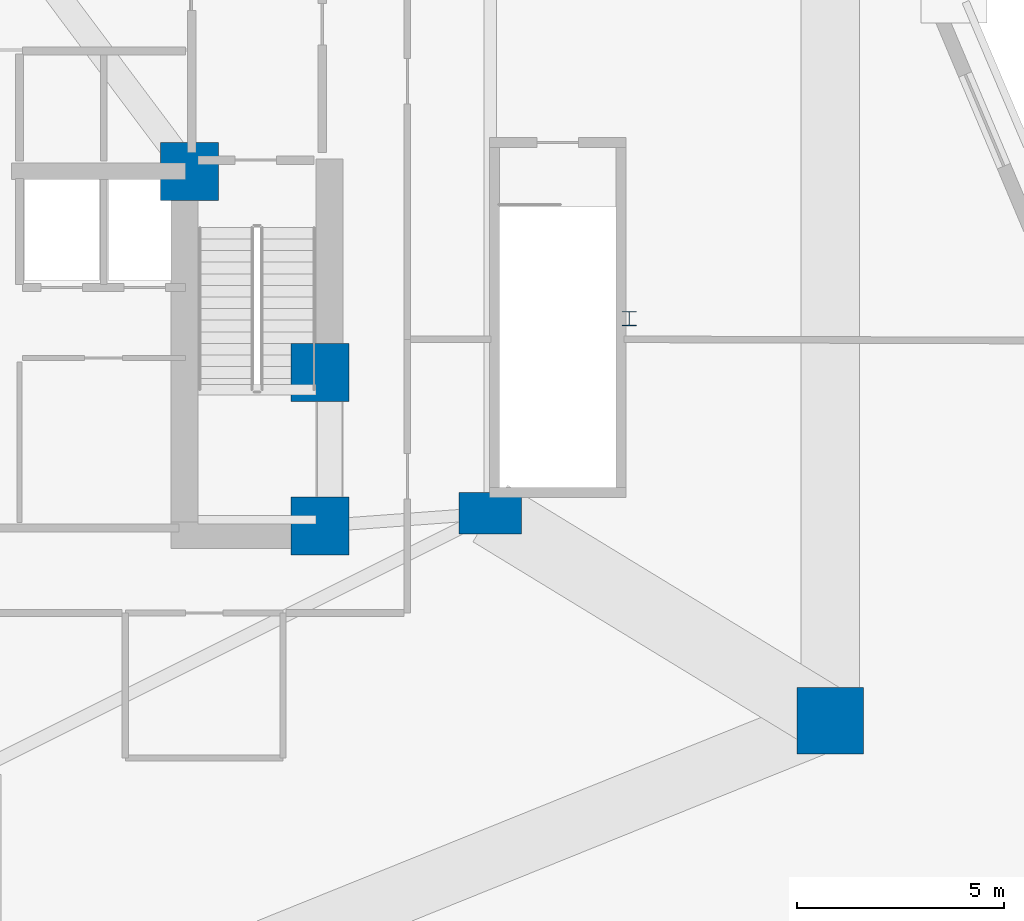
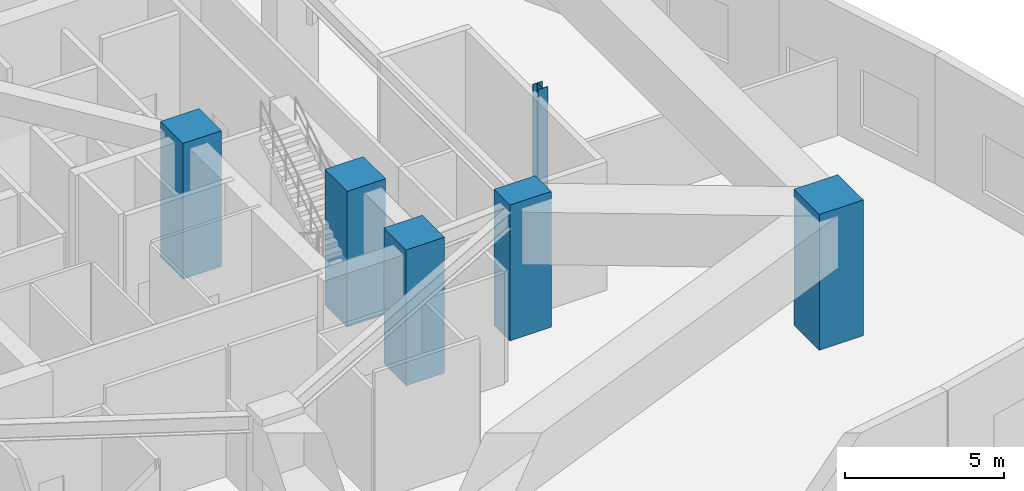
# One storey, part 2 of 19: 6 columns.
"""IFC4 building model written with IfcOpenShell, lengths in metres."""

from ifc_helpers import new_model, si_unit, direction, frame, origin, origin_2d, place, context, subcontext, project, spatial, rectangle, i_section, extrude, material, material_profile, profile_set, type_object, element, save


model = new_model("IFC4")

# Units and contexts
model_context = context("Model", 3, precision=1e-05, world=origin(), true_north=direction((0.0, 1.0)))
body_context = subcontext(model_context, "Body", "Model", "MODEL_VIEW")
ifc_project = project(units=[si_unit("LENGTHUNIT", "METRE"), si_unit("AREAUNIT", "SQUARE_METRE"), si_unit("VOLUMEUNIT", "CUBIC_METRE"), si_unit("PLANEANGLEUNIT", "RADIAN"), si_unit("MASSUNIT", "GRAM", prefix="KILO")], contexts=[model_context])

# Site, building, storey
site_placement = place(None, origin())
site = spatial("IfcSite", under=ifc_project, at=site_placement, CompositionType="ELEMENT")
building_placement = place(site_placement, origin())
building = spatial("IfcBuilding", under=site, at=building_placement, Name="Miruveldt Soraemaru", CompositionType="ELEMENT")
storey_placement = place(building_placement, frame((0.0, 0.0, 24.0)))
storey = spatial("IfcBuildingStorey", under=building, at=storey_placement, Name="L06", CompositionType="ELEMENT", Elevation=24.0)

# Columns
ifc_material_1 = material(Name="Concrete C80/95 (80 MPa)", Category="concrete")
ifc_material_profile_1 = material_profile(ifc_material_1, rectangle(XDim=1.39990234375, YDim=1.39990234375, at=origin_2d()), Name="Concrete C80/95 (80 MPa)", Category="concrete")
ifc_profile_set_1 = profile_set([ifc_material_profile_1], Name="Concrete C80/95 (80 MPa)")
column_type_1 = type_object("IfcColumnType", Name="COL-MEGA-1400", PredefinedType="COLUMN", material=ifc_profile_set_1)
for number, where, z_axis, x_axis, name in (
    (1, (52.5, 35.5, 0.0), (0.0, 0.0, 1.0), (1.0, 0.0, 0.0), "L06 Structural Column CC3"),
    (2, (52.5, 39.199951171875, 0.0), (0.0, 0.0, 1.0), (1.0, 0.0, 0.0), "L06 Structural Column CC4"),
    (3, (49.35009765625, 44.050048828125, 0.0), (0.0, 0.0, 1.0), (1.0, 0.0, 0.0), "L06 Structural Column CC5"),
):
    element("IfcColumn", number, at=place(storey_placement, frame(where, z_axis=z_axis, x_axis=x_axis)), inside=storey, type_object=column_type_1, Name=name, PredefinedType="COLUMN", context=body_context, shape_type="SweptSolid", body=[
        extrude(rectangle(XDim=1.39990234375, YDim=1.39990234375, at=origin_2d()), origin(), (0.0, 0.0, 1.0), 5.199951171875),
    ])
ifc_material_profile_2 = material_profile(ifc_material_1, rectangle(XDim=1.60009765625, YDim=1.60009765625, at=origin_2d()), Name="Concrete C80/95 (80 MPa)", Category="concrete")
ifc_profile_set_2 = profile_set([ifc_material_profile_2], Name="Concrete C80/95 (80 MPa)")
column_type_2 = type_object("IfcColumnType", Name="COL-MEGA-1600", PredefinedType="COLUMN", material=ifc_profile_set_2)
column_1_placement = place(storey_placement, frame((64.800048828125, 30.800048828125, 0.0), z_axis=(0.0, 0.0, 1.0), x_axis=(1.0, 0.0, 0.0)))
element("IfcColumn", 4, at=column_1_placement, inside=storey, type_object=column_type_2, Name="L06 Structural Column PM03", PredefinedType="COLUMN", context=body_context, shape_type="SweptSolid", body=[
    extrude(rectangle(XDim=1.60009765625, YDim=1.60009765625, at=origin_2d()), origin(), (0.0, 0.0, 1.0), 5.199951171875),
])
ifc_material_2 = material(Name="Steel SM355 (355 MPa)", Category="steel")
ifc_material_profile_3 = material_profile(ifc_material_2, i_section(OverallWidth=0.35009765625, OverallDepth=0.35009765625, WebThickness=0.011962890625, FlangeThickness=0.01904296875, FilletRadius=0.02001953125, at=origin_2d()), Name="Steel SM355 (355 MPa)", Category="steel")
ifc_profile_set_3 = profile_set([ifc_material_profile_3], Name="Steel SM355 (355 MPa)")
column_type_3 = type_object("IfcColumnType", Name="COL-PIL-350", PredefinedType="PILASTER", material=ifc_profile_set_3)
column_2_placement = place(storey_placement, frame((59.949951171875, 40.5, 0.0), z_axis=(0.0, 0.0, 1.0), x_axis=(1.0, 0.0, 0.0)))
element("IfcColumn", 5, at=column_2_placement, inside=storey, type_object=column_type_3, Name="L06 Structural Column PIL2", PredefinedType="PILASTER", context=body_context, shape_type="SweptSolid", body=[
    extrude(i_section(OverallWidth=0.35009765625, OverallDepth=0.35009765625, WebThickness=0.011962890625, FlangeThickness=0.01904296875, FilletRadius=0.02001953125, at=origin_2d()), origin(), (0.0, 0.0, 1.0), 5.199951171875),
])
ifc_material_profile_4 = material_profile(ifc_material_1, rectangle(XDim=1.5, YDim=1.0, at=origin_2d()), Name="Concrete C80/95 (80 MPa)", Category="concrete")
ifc_profile_set_4 = profile_set([ifc_material_profile_4], Name="Concrete C80/95 (80 MPa)")
column_type_4 = type_object("IfcColumnType", Name="COL-TW-Z1A", PredefinedType="COLUMN", material=ifc_profile_set_4)
column_3_placement = place(storey_placement, frame((56.60009765625, 35.800048828125, 0.0), z_axis=(0.0, 0.0, 1.0), x_axis=(1.0, 0.0, 0.0)))
element("IfcColumn", 6, at=column_3_placement, inside=storey, type_object=column_type_4, Name="L06 Structural Column IR03", PredefinedType="COLUMN", context=body_context, shape_type="SweptSolid", body=[
    extrude(rectangle(XDim=1.5, YDim=1.0, at=origin_2d()), origin(), (0.0, 0.0, 1.0), 5.199951171875),
])

save(model, "model.ifc")
